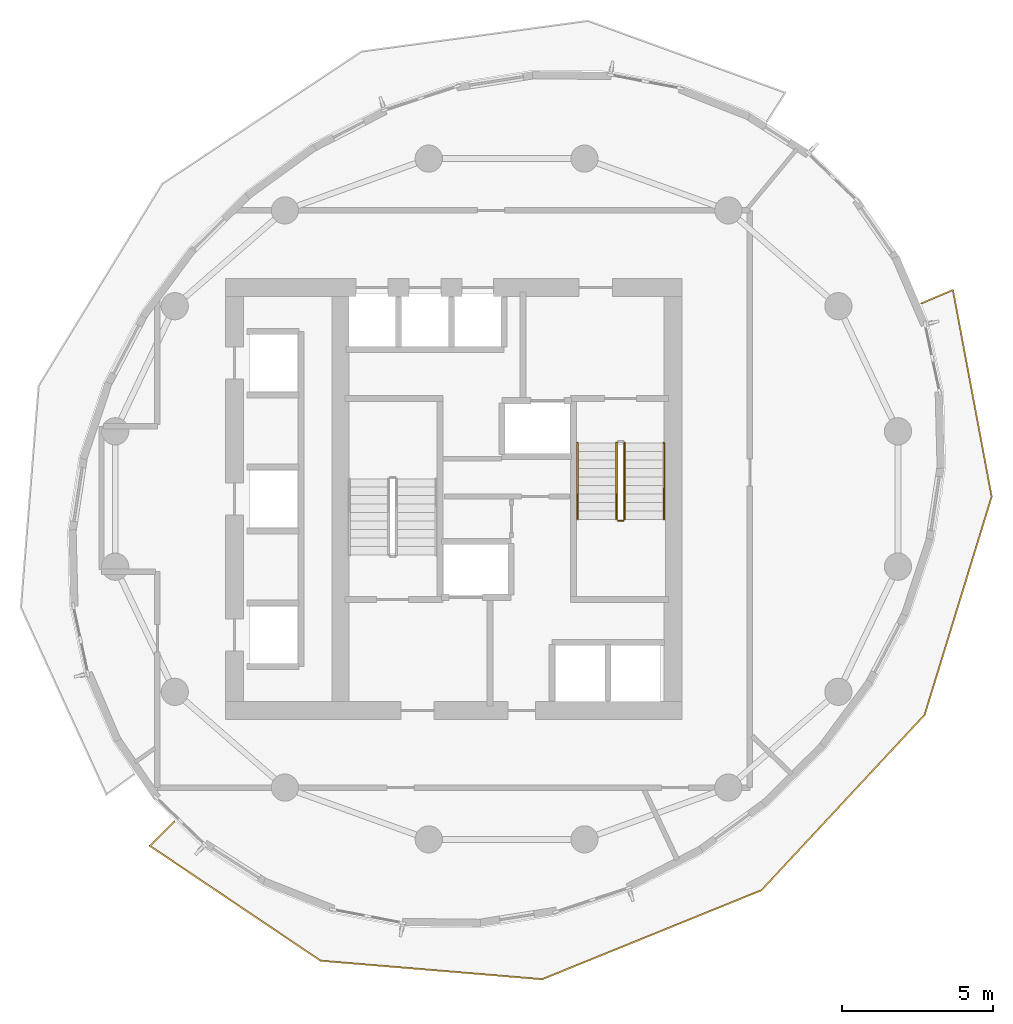
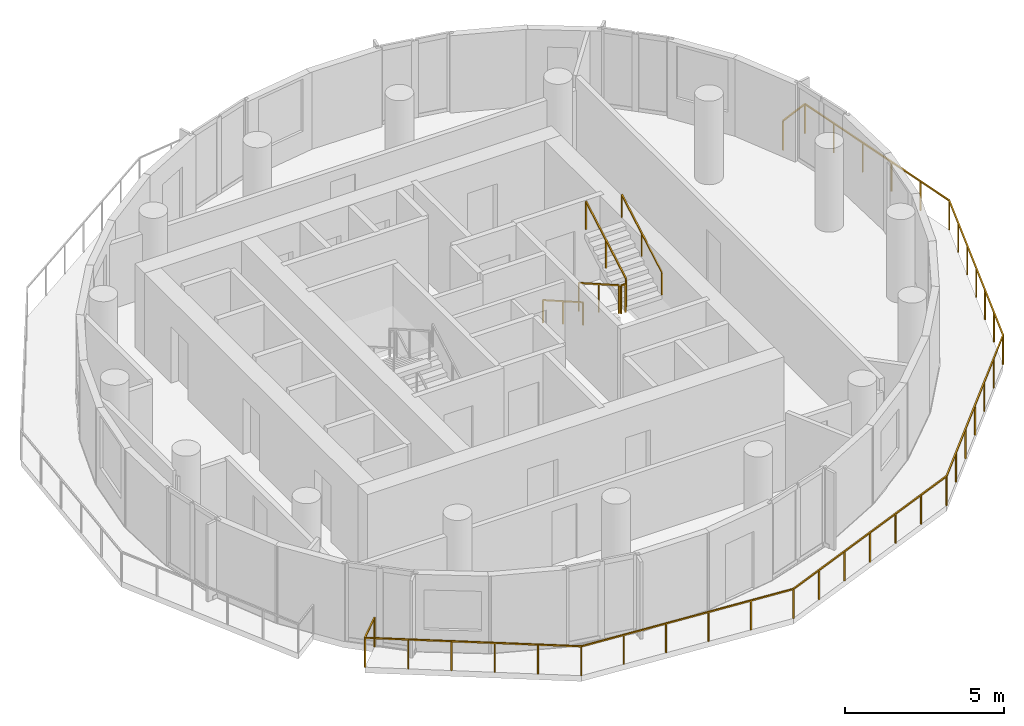
# One storey, part 7 of 9: 6 railings.
"""IFC4 building model written with IfcOpenShell, lengths in metres."""

from ifc_helpers import new_model, si_unit, direction, frame, origin, origin_2d, place, context, subcontext, project, spatial, rectangle, extrude, material, type_object, element, save


model = new_model("IFC4")

# Units and contexts
model_context = context("Model", 3, precision=1e-05, world=origin(), true_north=direction((0.0, 1.0)))
body_context = subcontext(model_context, "Body", "Model", "MODEL_VIEW")
ifc_project = project(units=[si_unit("LENGTHUNIT", "METRE"), si_unit("AREAUNIT", "SQUARE_METRE"), si_unit("VOLUMEUNIT", "CUBIC_METRE"), si_unit("PLANEANGLEUNIT", "RADIAN"), si_unit("MASSUNIT", "GRAM", prefix="KILO")], contexts=[model_context])

# Site, building, storey
site_placement = place(None, origin())
site = spatial("IfcSite", under=ifc_project, at=site_placement, CompositionType="ELEMENT")
building_placement = place(site_placement, origin())
building = spatial("IfcBuilding", under=site, at=building_placement, Name="Veldorim Arch Residences", CompositionType="ELEMENT")
storey_placement = place(building_placement, frame((0.0, 0.0, 163.0400390625)))
storey = spatial("IfcBuildingStorey", under=building, at=storey_placement, Name="L48", CompositionType="ELEMENT", Elevation=163.0400390625)

# Railings
ifc_material_1 = material(Name="Aluminium", Category="aluminium")
railing_type_1 = type_object("IfcRailingType", Name="Balcony & Terrace Laminated Glass Balustrade 1150", PredefinedType="BALUSTRADE", material=ifc_material_1)
railing_1_placement = place(storey_placement, frame((21.01513671875, 13.337158203125, 0.0)))
element("IfcRailing", 1, at=railing_1_placement, inside=storey, type_object=railing_type_1, Name="L48 crescent balcony safety balustrade B", PredefinedType="BALUSTRADE", context=body_context, shape_type="SweptSolid", body=[
    extrude(rectangle(XDim=0.048095703125, YDim=0.048095703125, at=origin_2d()), frame((0.0, 0.0, 1.1259765625), z_axis=(-0.710495074952, -0.70370217313, 0.0), x_axis=(0.70370217313, -0.710495074952, 0.0)), (0.0, 0.0, 1.0), 1.150146484375),
    extrude(rectangle(XDim=0.048095703125, YDim=0.048095703125, at=origin_2d()), frame((-0.817138671875, -0.809326171875, 1.1259765625), z_axis=(0.829604037226, -0.558352166127, 0.0), x_axis=(0.558352166127, 0.829604037226, 0.0)), (0.0, 0.0, 1.0), 6.808837890625),
    extrude(rectangle(XDim=0.048095703125, YDim=0.048095703125, at=origin_2d()), frame((4.83154296875, -4.611083984375, 1.1259765625), z_axis=(0.996530637091, -0.083226734526, 0.0), x_axis=(0.083226734526, 0.996530637091, 0.0)), (0.0, 0.0, 1.0), 7.357177734375),
    extrude(rectangle(XDim=0.048095703125, YDim=0.048095703125, at=origin_2d()), frame((12.1630859375, -5.223388671875, 1.1259765625), z_axis=(0.926548761971, 0.376174682414, 0.0), x_axis=(-0.376174682414, 0.926548761971, 0.0)), (0.0, 0.0, 1.0), 7.83154296875),
    extrude(rectangle(XDim=0.048095703125, YDim=0.048095703125, at=origin_2d()), frame((19.41943359375, -2.27734375, 1.1259765625), z_axis=(0.68115083365, 0.732143115666, 0.0), x_axis=(-0.732143115666, 0.68115083365, 0.0)), (0.0, 0.0, 1.0), 7.9189453125),
    extrude(rectangle(XDim=0.048095703125, YDim=0.048095703125, at=origin_2d()), frame((24.8134765625, 3.5205078125, 1.1259765625), z_axis=(0.293668011758, 0.955907474011, 0.0), x_axis=(-0.955907474011, 0.293668011758, 0.0)), (0.0, 0.0, 1.0), 7.555419921875),
    extrude(rectangle(XDim=0.048095703125, YDim=0.048095703125, at=origin_2d()), frame((27.0322265625, 10.74267578125, 1.1259765625), z_axis=(-0.184358461395, 0.98285907317, 0.0), x_axis=(-0.98285907317, -0.184358461395, 0.0)), (0.0, 0.0, 1.0), 6.956298828125),
    extrude(rectangle(XDim=0.048095703125, YDim=0.048095703125, at=origin_2d()), frame((25.749755859375, 17.579833984375, 1.1259765625), z_axis=(-0.919726048437, -0.392560817996, 0.0), x_axis=(0.392560817996, -0.919726048437, 0.0)), (0.0, 0.0, 1.0), 1.14990234375),
    extrude(rectangle(XDim=0.0419921875, YDim=0.0419921875, at=origin_2d()), origin(), (0.0, 0.0, 1.0), 1.101806640625),
    extrude(rectangle(XDim=0.0419921875, YDim=0.0419921875, at=origin_2d()), frame((-0.817138671875, -0.809326171875, 0.0)), (0.0, 0.0, 1.0), 1.101806640625),
    extrude(rectangle(XDim=0.0419921875, YDim=0.0419921875, at=origin_2d()), frame((0.3125, -1.569580078125, 0.0)), (0.0, 0.0, 1.0), 1.101806640625),
    extrude(rectangle(XDim=0.0419921875, YDim=0.0419921875, at=origin_2d()), frame((1.4423828125, -2.330078125, 0.0)), (0.0, 0.0, 1.0), 1.101806640625),
    extrude(rectangle(XDim=0.0419921875, YDim=0.0419921875, at=origin_2d()), frame((2.572021484375, -3.09033203125, 0.0)), (0.0, 0.0, 1.0), 1.101806640625),
    extrude(rectangle(XDim=0.0419921875, YDim=0.0419921875, at=origin_2d()), frame((3.701904296875, -3.850830078125, 0.0)), (0.0, 0.0, 1.0), 1.101806640625),
    extrude(rectangle(XDim=0.0419921875, YDim=0.0419921875, at=origin_2d()), frame((4.83154296875, -4.611083984375, 0.0)), (0.0, 0.0, 1.0), 1.101806640625),
    extrude(rectangle(XDim=0.0419921875, YDim=0.0419921875, at=origin_2d()), frame((6.2978515625, -4.733642578125, 0.0)), (0.0, 0.0, 1.0), 1.101806640625),
    extrude(rectangle(XDim=0.0419921875, YDim=0.0419921875, at=origin_2d()), frame((7.76416015625, -4.85595703125, 0.0)), (0.0, 0.0, 1.0), 1.101806640625),
    extrude(rectangle(XDim=0.0419921875, YDim=0.0419921875, at=origin_2d()), frame((9.23046875, -4.978515625, 0.0)), (0.0, 0.0, 1.0), 1.101806640625),
    extrude(rectangle(XDim=0.0419921875, YDim=0.0419921875, at=origin_2d()), frame((10.69677734375, -5.100830078125, 0.0)), (0.0, 0.0, 1.0), 1.101806640625),
    extrude(rectangle(XDim=0.0419921875, YDim=0.0419921875, at=origin_2d()), frame((12.1630859375, -5.223388671875, 0.0)), (0.0, 0.0, 1.0), 1.101806640625),
    extrude(rectangle(XDim=0.0419921875, YDim=0.0419921875, at=origin_2d()), frame((13.37255859375, -4.732421875, 0.0)), (0.0, 0.0, 1.0), 1.101806640625),
    extrude(rectangle(XDim=0.0419921875, YDim=0.0419921875, at=origin_2d()), frame((14.581787109375, -4.241455078125, 0.0)), (0.0, 0.0, 1.0), 1.101806640625),
    extrude(rectangle(XDim=0.0419921875, YDim=0.0419921875, at=origin_2d()), frame((15.791259765625, -3.75048828125, 0.0)), (0.0, 0.0, 1.0), 1.101806640625),
    extrude(rectangle(XDim=0.0419921875, YDim=0.0419921875, at=origin_2d()), frame((17.000732421875, -3.25927734375, 0.0)), (0.0, 0.0, 1.0), 1.101806640625),
    extrude(rectangle(XDim=0.0419921875, YDim=0.0419921875, at=origin_2d()), frame((18.2099609375, -2.768310546875, 0.0)), (0.0, 0.0, 1.0), 1.101806640625),
    extrude(rectangle(XDim=0.0419921875, YDim=0.0419921875, at=origin_2d()), frame((19.41943359375, -2.27734375, 0.0)), (0.0, 0.0, 1.0), 1.101806640625),
    extrude(rectangle(XDim=0.0419921875, YDim=0.0419921875, at=origin_2d()), frame((20.318359375, -1.31103515625, 0.0)), (0.0, 0.0, 1.0), 1.101806640625),
    extrude(rectangle(XDim=0.0419921875, YDim=0.0419921875, at=origin_2d()), frame((21.217529296875, -0.3447265625, 0.0)), (0.0, 0.0, 1.0), 1.101806640625),
    extrude(rectangle(XDim=0.0419921875, YDim=0.0419921875, at=origin_2d()), frame((22.116455078125, 0.62158203125, 0.0)), (0.0, 0.0, 1.0), 1.101806640625),
    extrude(rectangle(XDim=0.0419921875, YDim=0.0419921875, at=origin_2d()), frame((23.015380859375, 1.587890625, 0.0)), (0.0, 0.0, 1.0), 1.101806640625),
    extrude(rectangle(XDim=0.0419921875, YDim=0.0419921875, at=origin_2d()), frame((23.91455078125, 2.55419921875, 0.0)), (0.0, 0.0, 1.0), 1.101806640625),
    extrude(rectangle(XDim=0.0419921875, YDim=0.0419921875, at=origin_2d()), frame((24.8134765625, 3.5205078125, 0.0)), (0.0, 0.0, 1.0), 1.101806640625),
    extrude(rectangle(XDim=0.0419921875, YDim=0.0419921875, at=origin_2d()), frame((25.183349609375, 4.72412109375, 0.0)), (0.0, 0.0, 1.0), 1.101806640625),
    extrude(rectangle(XDim=0.0419921875, YDim=0.0419921875, at=origin_2d()), frame((25.552978515625, 5.927978515625, 0.0)), (0.0, 0.0, 1.0), 1.101806640625),
    extrude(rectangle(XDim=0.0419921875, YDim=0.0419921875, at=origin_2d()), frame((25.9228515625, 7.131591796875, 0.0)), (0.0, 0.0, 1.0), 1.101806640625),
    extrude(rectangle(XDim=0.0419921875, YDim=0.0419921875, at=origin_2d()), frame((26.292724609375, 8.335205078125, 0.0)), (0.0, 0.0, 1.0), 1.101806640625),
    extrude(rectangle(XDim=0.0419921875, YDim=0.0419921875, at=origin_2d()), frame((26.662353515625, 9.5390625, 0.0)), (0.0, 0.0, 1.0), 1.101806640625),
    extrude(rectangle(XDim=0.0419921875, YDim=0.0419921875, at=origin_2d()), frame((27.0322265625, 10.74267578125, 0.0)), (0.0, 0.0, 1.0), 1.101806640625),
    extrude(rectangle(XDim=0.0419921875, YDim=0.0419921875, at=origin_2d()), frame((26.775634765625, 12.110107421875, 0.0)), (0.0, 0.0, 1.0), 1.101806640625),
    extrude(rectangle(XDim=0.0419921875, YDim=0.0419921875, at=origin_2d()), frame((26.519287109375, 13.4775390625, 0.0)), (0.0, 0.0, 1.0), 1.101806640625),
    extrude(rectangle(XDim=0.0419921875, YDim=0.0419921875, at=origin_2d()), frame((26.2626953125, 14.844970703125, 0.0)), (0.0, 0.0, 1.0), 1.101806640625),
    extrude(rectangle(XDim=0.0419921875, YDim=0.0419921875, at=origin_2d()), frame((26.00634765625, 16.21240234375, 0.0)), (0.0, 0.0, 1.0), 1.101806640625),
    extrude(rectangle(XDim=0.0419921875, YDim=0.0419921875, at=origin_2d()), frame((25.749755859375, 17.579833984375, 0.0)), (0.0, 0.0, 1.0), 1.101806640625),
    extrude(rectangle(XDim=0.0419921875, YDim=0.0419921875, at=origin_2d()), frame((24.692138671875, 17.12841796875, 0.0)), (0.0, 0.0, 1.0), 1.101806640625),
])
ifc_material_2 = material(Name="Steel S355", Category="steel")
railing_type_2 = type_object("IfcRailingType", Name="Galvanised Steel Stair Safety Guardrail 1100", PredefinedType="GUARDRAIL", material=ifc_material_2)
railing_2_placement = place(storey_placement, frame((35.639892578125, 25.85009765625, 0.159912109375)))
element("IfcRailing", 2, at=railing_2_placement, inside=storey, type_object=railing_type_2, Name="L48 ST-2 stair guard 1", PredefinedType="GUARDRAIL", context=body_context, shape_type="SweptSolid", body=[
    extrude(rectangle(XDim=0.048095703125, YDim=0.048095703125, at=origin_2d()), frame((0.0, 0.0, 1.076171875), z_axis=(0.0, -0.868253494771, 0.496120820787), x_axis=(1.0, 0.0, 0.0)), (0.0, 0.0, 1.0), 2.90234375),
    extrude(rectangle(XDim=0.0419921875, YDim=0.0419921875, at=origin_2d()), origin(), (0.0, 0.0, 1.0), 1.052001953125),
    extrude(rectangle(XDim=0.0419921875, YDim=0.0419921875, at=origin_2d()), frame((0.0, -1.260009765625, 0.719970703125)), (0.0, 0.0, 1.0), 1.052001953125),
    extrude(rectangle(XDim=0.0419921875, YDim=0.0419921875, at=origin_2d()), frame((0.0, -2.52001953125, 1.43994140625)), (0.0, 0.0, 1.0), 1.052001953125),
])
railing_3_placement = place(storey_placement, frame((35.68994140625, 23.280029296875, 1.599853515625)))
element("IfcRailing", 3, at=railing_3_placement, inside=storey, type_object=railing_type_2, Name="L48 ST-2 stair guard 2", PredefinedType="GUARDRAIL", context=body_context, shape_type="SweptSolid", body=[
    extrude(rectangle(XDim=0.048095703125, YDim=0.048095703125, at=origin_2d()), frame((0.0, 0.0, 1.076171875), z_axis=(1.0, 0.0, 0.0), x_axis=(0.0, 1.0, 0.0)), (0.0, 0.0, 1.0), 0.16015625),
    extrude(rectangle(XDim=0.0419921875, YDim=0.0419921875, at=origin_2d()), origin(), (0.0, 0.0, 1.0), 1.052001953125),
    extrude(rectangle(XDim=0.0419921875, YDim=0.0419921875, at=origin_2d()), frame((0.16015625, 0.0, 0.0)), (0.0, 0.0, 1.0), 1.052001953125),
])
railing_4_placement = place(storey_placement, frame((35.89990234375, 23.330078125, 1.760009765625)))
element("IfcRailing", 4, at=railing_4_placement, inside=storey, type_object=railing_type_2, Name="L48 ST-2 stair guard 3", PredefinedType="GUARDRAIL", context=body_context, shape_type="SweptSolid", body=[
    extrude(rectangle(XDim=0.048095703125, YDim=0.048095703125, at=origin_2d()), frame((0.0, 0.0, 1.076171875), z_axis=(0.0, 0.868253494771, 0.496120820787), x_axis=(-1.0, 0.0, 0.0)), (0.0, 0.0, 1.0), 2.90234375),
    extrude(rectangle(XDim=0.0419921875, YDim=0.0419921875, at=origin_2d()), origin(), (0.0, 0.0, 1.0), 1.052001953125),
    extrude(rectangle(XDim=0.0419921875, YDim=0.0419921875, at=origin_2d()), frame((0.0, 1.260009765625, 0.719970703125)), (0.0, 0.0, 1.0), 1.052001953125),
    extrude(rectangle(XDim=0.0419921875, YDim=0.0419921875, at=origin_2d()), frame((0.0, 2.52001953125, 1.43994140625)), (0.0, 0.0, 1.0), 1.052001953125),
])
ifc_material_3 = material(Name="Stainless Steel", Category="steel")
railing_type_3 = type_object("IfcRailingType", Name="Tubular Steel Continuous Wall Handrail 900", PredefinedType="HANDRAIL", material=ifc_material_3)
railing_5_placement = place(storey_placement, frame((34.340087890625, 25.85009765625, 0.159912109375)))
element("IfcRailing", 5, at=railing_5_placement, inside=storey, type_object=railing_type_3, Name="L48 ST-2 stair handrail 1", PredefinedType="HANDRAIL", context=body_context, shape_type="SweptSolid", body=[
    extrude(rectangle(XDim=0.048095703125, YDim=0.048095703125, at=origin_2d()), frame((0.0, 0.0, 0.8759765625), z_axis=(0.0, -0.868253494771, 0.496120820787), x_axis=(1.0, 0.0, 0.0)), (0.0, 0.0, 1.0), 2.90234375),
    extrude(rectangle(XDim=0.0419921875, YDim=0.0419921875, at=origin_2d()), origin(), (0.0, 0.0, 1.0), 0.851806640625),
    extrude(rectangle(XDim=0.0419921875, YDim=0.0419921875, at=origin_2d()), frame((0.0, -1.260009765625, 0.719970703125)), (0.0, 0.0, 1.0), 0.851806640625),
    extrude(rectangle(XDim=0.0419921875, YDim=0.0419921875, at=origin_2d()), frame((0.0, -2.52001953125, 1.43994140625)), (0.0, 0.0, 1.0), 0.851806640625),
])
railing_6_placement = place(storey_placement, frame((37.199951171875, 23.330078125, 1.760009765625)))
element("IfcRailing", 6, at=railing_6_placement, inside=storey, type_object=railing_type_3, Name="L48 ST-2 stair handrail 2", PredefinedType="HANDRAIL", context=body_context, shape_type="SweptSolid", body=[
    extrude(rectangle(XDim=0.048095703125, YDim=0.048095703125, at=origin_2d()), frame((0.0, 0.0, 0.8759765625), z_axis=(0.0, 0.868253494771, 0.496120820787), x_axis=(-1.0, 0.0, 0.0)), (0.0, 0.0, 1.0), 2.90234375),
    extrude(rectangle(XDim=0.0419921875, YDim=0.0419921875, at=origin_2d()), origin(), (0.0, 0.0, 1.0), 0.851806640625),
    extrude(rectangle(XDim=0.0419921875, YDim=0.0419921875, at=origin_2d()), frame((0.0, 1.260009765625, 0.719970703125)), (0.0, 0.0, 1.0), 0.851806640625),
    extrude(rectangle(XDim=0.0419921875, YDim=0.0419921875, at=origin_2d()), frame((0.0, 2.52001953125, 1.43994140625)), (0.0, 0.0, 1.0), 0.851806640625),
])

save(model, "model.ifc")
